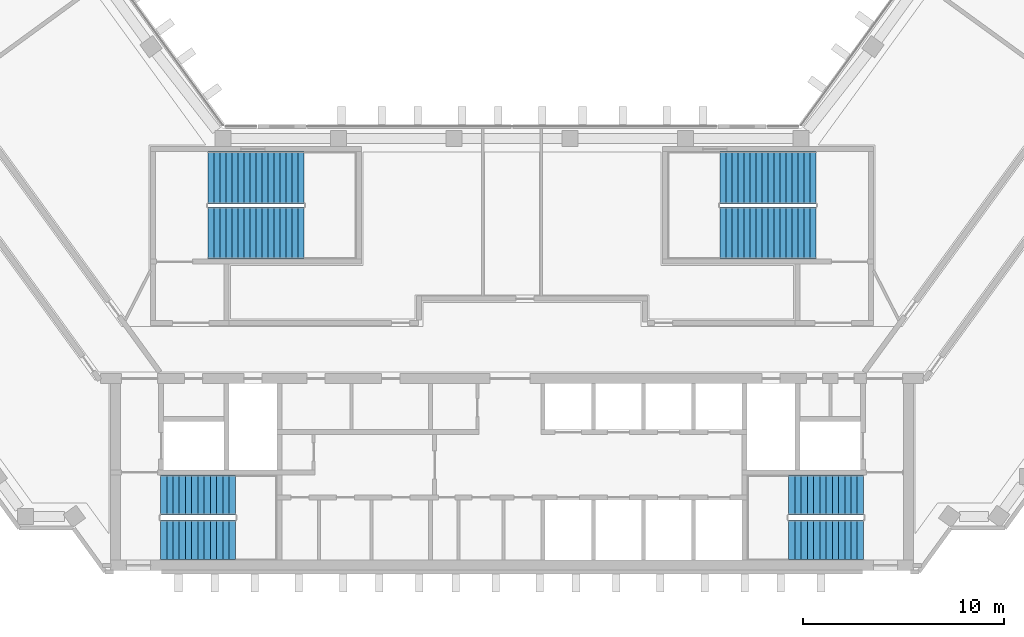
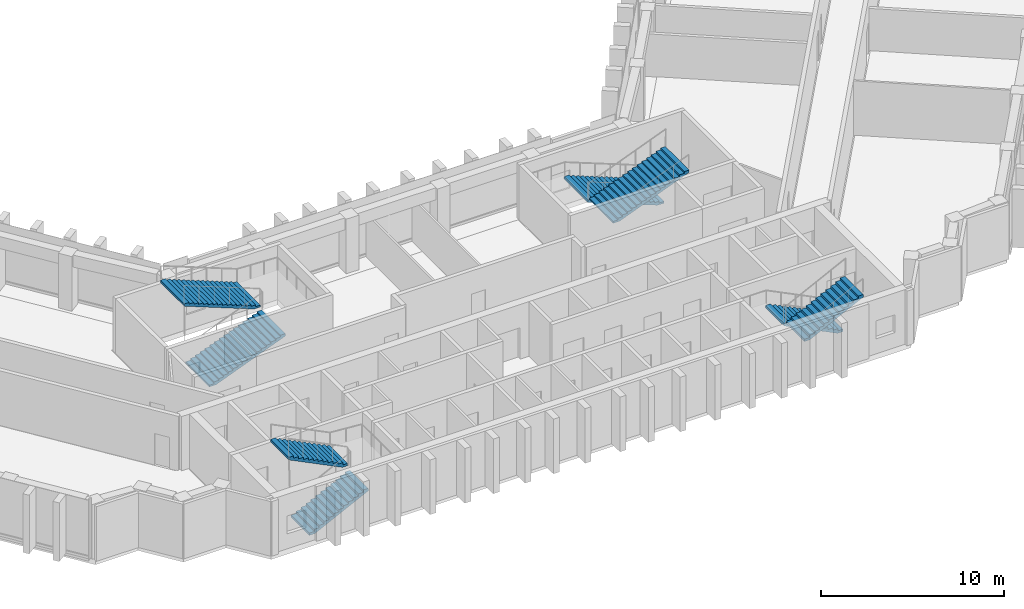
# One storey, part 10 of 12: 8 stair flights, 4 elements without a shape of their own.
"""IFC4 building model written with IfcOpenShell, lengths in metres."""

from ifc_helpers import new_model, si_unit, direction, frame, origin, place, context, subcontext, project, spatial, polyline, outline, extrude, material, type_object, element, aggregate, save


model = new_model("IFC4")

# Units and contexts
model_context = context("Model", 3, precision=1e-05, world=origin(), true_north=direction((0.0, 1.0)))
body_context = subcontext(model_context, "Body", "Model", "MODEL_VIEW")
ifc_project = project(units=[si_unit("LENGTHUNIT", "METRE"), si_unit("AREAUNIT", "SQUARE_METRE"), si_unit("VOLUMEUNIT", "CUBIC_METRE"), si_unit("PLANEANGLEUNIT", "RADIAN"), si_unit("MASSUNIT", "GRAM", prefix="KILO")], contexts=[model_context])

# Site, building, storey
site_placement = place(None, origin())
site = spatial("IfcSite", under=ifc_project, at=site_placement, CompositionType="ELEMENT")
building_placement = place(site_placement, origin())
building = spatial("IfcBuilding", under=site, at=building_placement, Name="Quipu Civic Tower", CompositionType="ELEMENT")
storey_placement = place(building_placement, frame((0.0, 0.0, 152.0)))
storey = spatial("IfcBuildingStorey", under=building, at=storey_placement, Name="L35", CompositionType="ELEMENT", Elevation=152.0)

# Stair, stair flights
ifc_material_1 = material(Name="Concrete C40/50", Category="concrete")
stair_type_1 = type_object("IfcStairType", Name="Half turn stair 2000", PredefinedType="HALF_TURN_STAIR", material=ifc_material_1)
stair_1_placement = place(storey_placement, origin())
stair_1 = element("IfcStair", 1, at=stair_1_placement, inside=storey, type_object=stair_type_1, Name="Exit stair 1", PredefinedType="HALF_TURN_STAIR")
ifc_material_2 = material(Name="Concrete C40/50", Category="concrete")
stair_flight_type_1 = type_object("IfcStairFlightType", Name="Stair flight 2000", PredefinedType="STRAIGHT", material=ifc_material_2)
stair_flight_1_placement = place(storey_placement, frame((-17.5, -9.5, 0.0), z_axis=(0.0, 0.0, 1.0), x_axis=(1.0, 0.0, 0.0)))
stair_flight_1 = element("IfcStairFlight", 2, at=stair_flight_1_placement, type_object=stair_flight_type_1, Name="ST-1 flight 1", NumberOfRisers=13, NumberOfTreads=12, PredefinedType="STRAIGHT", RiserHeight=0.153846154, TreadLength=0.31, context=body_context, shape_type="SweptSolid", body=[
    extrude(outline(polyline([(0.0, 0.0), (0.0, 0.15380859375), (0.31005859375, 0.15380859375), (0.31005859375, 0.3076171875), (0.6201171875, 0.3076171875), (0.6201171875, 0.46142578125), (0.929931640625, 0.46142578125), (0.929931640625, 0.615478515625), (1.239990234375, 0.615478515625), (1.239990234375, 0.769287109375), (1.550048828125, 0.769287109375), (1.550048828125, 0.923095703125), (1.860107421875, 0.923095703125), (1.860107421875, 1.076904296875), (2.169921875, 1.076904296875), (2.169921875, 1.230712890625), (2.47998046875, 1.230712890625), (2.47998046875, 1.384521484375), (2.7900390625, 1.384521484375), (2.7900390625, 1.53857421875), (3.10009765625, 1.53857421875), (3.10009765625, 1.6923828125), (3.409912109375, 1.6923828125), (3.409912109375, 1.84619140625), (3.719970703125, 1.84619140625), (3.719970703125, 2.0), (3.719970703125, 1.6787109375), (0.337158203125, 0.0), (0.0, 0.0)])), frame((0.0, 1.0, 0.0), z_axis=(0.0, -1.0, 0.0), x_axis=(1.0, 0.0, 0.0)), (0.0, 0.0, 1.0), 2.0),
])
stair_flight_2_placement = place(storey_placement, frame((-13.780029296875, -7.25, 2.0), z_axis=(0.0, 0.0, 1.0), x_axis=(-1.0, 0.0, 0.0)))
stair_flight_2 = element("IfcStairFlight", 3, at=stair_flight_2_placement, type_object=stair_flight_type_1, Name="ST-1 flight 2", NumberOfRisers=13, NumberOfTreads=12, PredefinedType="STRAIGHT", RiserHeight=0.153846154, TreadLength=0.31, context=body_context, shape_type="SweptSolid", body=[
    extrude(outline(polyline([(0.0, 0.0), (0.0, 0.15380859375), (0.31005859375, 0.15380859375), (0.31005859375, 0.3076171875), (0.6201171875, 0.3076171875), (0.6201171875, 0.46142578125), (0.929931640625, 0.46142578125), (0.929931640625, 0.615478515625), (1.239990234375, 0.615478515625), (1.239990234375, 0.769287109375), (1.550048828125, 0.769287109375), (1.550048828125, 0.923095703125), (1.860107421875, 0.923095703125), (1.860107421875, 1.076904296875), (2.169921875, 1.076904296875), (2.169921875, 1.230712890625), (2.47998046875, 1.230712890625), (2.47998046875, 1.384521484375), (2.7900390625, 1.384521484375), (2.7900390625, 1.53857421875), (3.10009765625, 1.53857421875), (3.10009765625, 1.6923828125), (3.409912109375, 1.6923828125), (3.409912109375, 1.84619140625), (3.719970703125, 1.84619140625), (3.719970703125, 2.0), (3.719970703125, 1.6787109375), (0.337158203125, 0.0), (0.0, 0.0)])), frame((0.0, 1.0, 0.0), z_axis=(0.0, -1.0, 0.0), x_axis=(1.0, 0.0, 0.0)), (0.0, 0.0, 1.0), 2.0),
])
aggregate(stair_1, [stair_flight_1, stair_flight_2])

stair_2_placement = place(storey_placement, origin())
stair_2 = element("IfcStair", 4, at=stair_2_placement, inside=storey, type_object=stair_type_1, Name="Exit stair 2", PredefinedType="HALF_TURN_STAIR")
stair_flight_3_placement = place(storey_placement, frame((17.5, -7.25, 0.0), z_axis=(0.0, 0.0, 1.0), x_axis=(-1.0, 0.0, 0.0)))
stair_flight_3 = element("IfcStairFlight", 5, at=stair_flight_3_placement, type_object=stair_flight_type_1, Name="ST-2 flight 1", NumberOfRisers=13, NumberOfTreads=12, PredefinedType="STRAIGHT", RiserHeight=0.153846154, TreadLength=0.31, context=body_context, shape_type="SweptSolid", body=[
    extrude(outline(polyline([(0.0, 0.0), (0.0, 0.15380859375), (0.31005859375, 0.15380859375), (0.31005859375, 0.3076171875), (0.6201171875, 0.3076171875), (0.6201171875, 0.46142578125), (0.929931640625, 0.46142578125), (0.929931640625, 0.615478515625), (1.239990234375, 0.615478515625), (1.239990234375, 0.769287109375), (1.550048828125, 0.769287109375), (1.550048828125, 0.923095703125), (1.860107421875, 0.923095703125), (1.860107421875, 1.076904296875), (2.169921875, 1.076904296875), (2.169921875, 1.230712890625), (2.47998046875, 1.230712890625), (2.47998046875, 1.384521484375), (2.7900390625, 1.384521484375), (2.7900390625, 1.53857421875), (3.10009765625, 1.53857421875), (3.10009765625, 1.6923828125), (3.409912109375, 1.6923828125), (3.409912109375, 1.84619140625), (3.719970703125, 1.84619140625), (3.719970703125, 2.0), (3.719970703125, 1.6787109375), (0.337158203125, 0.0), (0.0, 0.0)])), frame((0.0, 1.0, 0.0), z_axis=(0.0, -1.0, 0.0), x_axis=(1.0, 0.0, 0.0)), (0.0, 0.0, 1.0), 2.0),
])
stair_flight_4_placement = place(storey_placement, frame((13.780029296875, -9.5, 2.0), z_axis=(0.0, 0.0, 1.0), x_axis=(1.0, 0.0, 0.0)))
stair_flight_4 = element("IfcStairFlight", 6, at=stair_flight_4_placement, type_object=stair_flight_type_1, Name="ST-2 flight 2", NumberOfRisers=13, NumberOfTreads=12, PredefinedType="STRAIGHT", RiserHeight=0.153846154, TreadLength=0.31, context=body_context, shape_type="SweptSolid", body=[
    extrude(outline(polyline([(0.0, 0.0), (0.0, 0.15380859375), (0.31005859375, 0.15380859375), (0.31005859375, 0.3076171875), (0.6201171875, 0.3076171875), (0.6201171875, 0.46142578125), (0.929931640625, 0.46142578125), (0.929931640625, 0.615478515625), (1.239990234375, 0.615478515625), (1.239990234375, 0.769287109375), (1.550048828125, 0.769287109375), (1.550048828125, 0.923095703125), (1.860107421875, 0.923095703125), (1.860107421875, 1.076904296875), (2.169921875, 1.076904296875), (2.169921875, 1.230712890625), (2.47998046875, 1.230712890625), (2.47998046875, 1.384521484375), (2.7900390625, 1.384521484375), (2.7900390625, 1.53857421875), (3.10009765625, 1.53857421875), (3.10009765625, 1.6923828125), (3.409912109375, 1.6923828125), (3.409912109375, 1.84619140625), (3.719970703125, 1.84619140625), (3.719970703125, 2.0), (3.719970703125, 1.6787109375), (0.337158203125, 0.0), (0.0, 0.0)])), frame((0.0, 1.0, 0.0), z_axis=(0.0, -1.0, 0.0), x_axis=(1.0, 0.0, 0.0)), (0.0, 0.0, 1.0), 2.0),
])
aggregate(stair_2, [stair_flight_3, stair_flight_4])

ifc_material_3 = material(Name="Concrete C40/50", Category="concrete")
stair_type_2 = type_object("IfcStairType", Name="Half turn stair 2600", PredefinedType="HALF_TURN_STAIR", material=ifc_material_3)
stair_3_placement = place(storey_placement, origin())
stair_3 = element("IfcStair", 7, at=stair_3_placement, inside=storey, type_object=stair_type_2, Name="Exit stair 3", PredefinedType="HALF_TURN_STAIR")
ifc_material_4 = material(Name="Concrete C40/50", Category="concrete")
stair_flight_type_2 = type_object("IfcStairFlightType", Name="Stair flight 2600", PredefinedType="STRAIGHT", material=ifc_material_4)
stair_flight_5_placement = place(storey_placement, frame((-15.14990234375, 5.800048828125, 0.0), z_axis=(0.0, 0.0, 1.0), x_axis=(1.0, 0.0, 0.0)))
stair_flight_5 = element("IfcStairFlight", 8, at=stair_flight_5_placement, type_object=stair_flight_type_2, Name="ST-3 flight 1", NumberOfRisers=17, NumberOfTreads=16, PredefinedType="STRAIGHT", RiserHeight=0.117647059, TreadLength=0.3, context=body_context, shape_type="SweptSolid", body=[
    extrude(outline(polyline([(0.0, 0.0), (0.0, 0.11767578125), (0.300048828125, 0.11767578125), (0.300048828125, 0.2353515625), (0.60009765625, 0.2353515625), (0.60009765625, 0.35302734375), (0.89990234375, 0.35302734375), (0.89990234375, 0.470703125), (1.199951171875, 0.470703125), (1.199951171875, 0.588134765625), (1.5, 0.588134765625), (1.5, 0.705810546875), (1.800048828125, 0.705810546875), (1.800048828125, 0.823486328125), (2.10009765625, 0.823486328125), (2.10009765625, 0.941162109375), (2.39990234375, 0.941162109375), (2.39990234375, 1.058837890625), (2.699951171875, 1.058837890625), (2.699951171875, 1.176513671875), (3.0, 1.176513671875), (3.0, 1.294189453125), (3.300048828125, 1.294189453125), (3.300048828125, 1.411865234375), (3.60009765625, 1.411865234375), (3.60009765625, 1.529296875), (3.89990234375, 1.529296875), (3.89990234375, 1.64697265625), (4.199951171875, 1.64697265625), (4.199951171875, 1.7646484375), (4.5, 1.7646484375), (4.5, 1.88232421875), (4.800048828125, 1.88232421875), (4.800048828125, 2.0), (4.800048828125, 1.721435546875), (0.41064453125, 0.0), (0.0, 0.0)])), frame((0.0, 1.300048828125, 0.0), z_axis=(0.0, -1.0, 0.0), x_axis=(1.0, 0.0, 0.0)), (0.0, 0.0, 1.0), 2.60009765625),
])
stair_flight_6_placement = place(storey_placement, frame((-10.35009765625, 8.550048828125, 2.0), z_axis=(0.0, 0.0, 1.0), x_axis=(-1.0, 0.0, 0.0)))
stair_flight_6 = element("IfcStairFlight", 9, at=stair_flight_6_placement, type_object=stair_flight_type_2, Name="ST-3 flight 2", NumberOfRisers=17, NumberOfTreads=16, PredefinedType="STRAIGHT", RiserHeight=0.117647059, TreadLength=0.3, context=body_context, shape_type="SweptSolid", body=[
    extrude(outline(polyline([(0.0, 0.0), (0.0, 0.11767578125), (0.300048828125, 0.11767578125), (0.300048828125, 0.2353515625), (0.60009765625, 0.2353515625), (0.60009765625, 0.35302734375), (0.89990234375, 0.35302734375), (0.89990234375, 0.470703125), (1.199951171875, 0.470703125), (1.199951171875, 0.588134765625), (1.5, 0.588134765625), (1.5, 0.705810546875), (1.800048828125, 0.705810546875), (1.800048828125, 0.823486328125), (2.10009765625, 0.823486328125), (2.10009765625, 0.941162109375), (2.39990234375, 0.941162109375), (2.39990234375, 1.058837890625), (2.699951171875, 1.058837890625), (2.699951171875, 1.176513671875), (3.0, 1.176513671875), (3.0, 1.294189453125), (3.300048828125, 1.294189453125), (3.300048828125, 1.411865234375), (3.60009765625, 1.411865234375), (3.60009765625, 1.529296875), (3.89990234375, 1.529296875), (3.89990234375, 1.64697265625), (4.199951171875, 1.64697265625), (4.199951171875, 1.7646484375), (4.5, 1.7646484375), (4.5, 1.88232421875), (4.800048828125, 1.88232421875), (4.800048828125, 2.0), (4.800048828125, 1.721435546875), (0.41064453125, 0.0), (0.0, 0.0)])), frame((0.0, 1.300048828125, 0.0), z_axis=(0.0, -1.0, 0.0), x_axis=(1.0, 0.0, 0.0)), (0.0, 0.0, 1.0), 2.60009765625),
])
aggregate(stair_3, [stair_flight_5, stair_flight_6])

stair_4_placement = place(storey_placement, origin())
stair_4 = element("IfcStair", 10, at=stair_4_placement, inside=storey, type_object=stair_type_2, Name="Exit stair 4", PredefinedType="HALF_TURN_STAIR")
stair_flight_7_placement = place(storey_placement, frame((15.14990234375, 8.550048828125, 0.0), z_axis=(0.0, 0.0, 1.0), x_axis=(-1.0, 0.0, 0.0)))
stair_flight_7 = element("IfcStairFlight", 11, at=stair_flight_7_placement, type_object=stair_flight_type_2, Name="ST-4 flight 1", NumberOfRisers=17, NumberOfTreads=16, PredefinedType="STRAIGHT", RiserHeight=0.117647059, TreadLength=0.3, context=body_context, shape_type="SweptSolid", body=[
    extrude(outline(polyline([(0.0, 0.0), (0.0, 0.11767578125), (0.300048828125, 0.11767578125), (0.300048828125, 0.2353515625), (0.60009765625, 0.2353515625), (0.60009765625, 0.35302734375), (0.89990234375, 0.35302734375), (0.89990234375, 0.470703125), (1.199951171875, 0.470703125), (1.199951171875, 0.588134765625), (1.5, 0.588134765625), (1.5, 0.705810546875), (1.800048828125, 0.705810546875), (1.800048828125, 0.823486328125), (2.10009765625, 0.823486328125), (2.10009765625, 0.941162109375), (2.39990234375, 0.941162109375), (2.39990234375, 1.058837890625), (2.699951171875, 1.058837890625), (2.699951171875, 1.176513671875), (3.0, 1.176513671875), (3.0, 1.294189453125), (3.300048828125, 1.294189453125), (3.300048828125, 1.411865234375), (3.60009765625, 1.411865234375), (3.60009765625, 1.529296875), (3.89990234375, 1.529296875), (3.89990234375, 1.64697265625), (4.199951171875, 1.64697265625), (4.199951171875, 1.7646484375), (4.5, 1.7646484375), (4.5, 1.88232421875), (4.800048828125, 1.88232421875), (4.800048828125, 2.0), (4.800048828125, 1.721435546875), (0.41064453125, 0.0), (0.0, 0.0)])), frame((0.0, 1.300048828125, 0.0), z_axis=(0.0, -1.0, 0.0), x_axis=(1.0, 0.0, 0.0)), (0.0, 0.0, 1.0), 2.60009765625),
])
stair_flight_8_placement = place(storey_placement, frame((10.35009765625, 5.800048828125, 2.0), z_axis=(0.0, 0.0, 1.0), x_axis=(1.0, 0.0, 0.0)))
stair_flight_8 = element("IfcStairFlight", 12, at=stair_flight_8_placement, type_object=stair_flight_type_2, Name="ST-4 flight 2", NumberOfRisers=17, NumberOfTreads=16, PredefinedType="STRAIGHT", RiserHeight=0.117647059, TreadLength=0.3, context=body_context, shape_type="SweptSolid", body=[
    extrude(outline(polyline([(0.0, 0.0), (0.0, 0.11767578125), (0.300048828125, 0.11767578125), (0.300048828125, 0.2353515625), (0.60009765625, 0.2353515625), (0.60009765625, 0.35302734375), (0.89990234375, 0.35302734375), (0.89990234375, 0.470703125), (1.199951171875, 0.470703125), (1.199951171875, 0.588134765625), (1.5, 0.588134765625), (1.5, 0.705810546875), (1.800048828125, 0.705810546875), (1.800048828125, 0.823486328125), (2.10009765625, 0.823486328125), (2.10009765625, 0.941162109375), (2.39990234375, 0.941162109375), (2.39990234375, 1.058837890625), (2.699951171875, 1.058837890625), (2.699951171875, 1.176513671875), (3.0, 1.176513671875), (3.0, 1.294189453125), (3.300048828125, 1.294189453125), (3.300048828125, 1.411865234375), (3.60009765625, 1.411865234375), (3.60009765625, 1.529296875), (3.89990234375, 1.529296875), (3.89990234375, 1.64697265625), (4.199951171875, 1.64697265625), (4.199951171875, 1.7646484375), (4.5, 1.7646484375), (4.5, 1.88232421875), (4.800048828125, 1.88232421875), (4.800048828125, 2.0), (4.800048828125, 1.721435546875), (0.41064453125, 0.0), (0.0, 0.0)])), frame((0.0, 1.300048828125, 0.0), z_axis=(0.0, -1.0, 0.0), x_axis=(1.0, 0.0, 0.0)), (0.0, 0.0, 1.0), 2.60009765625),
])
aggregate(stair_4, [stair_flight_7, stair_flight_8])

save(model, "model.ifc")
